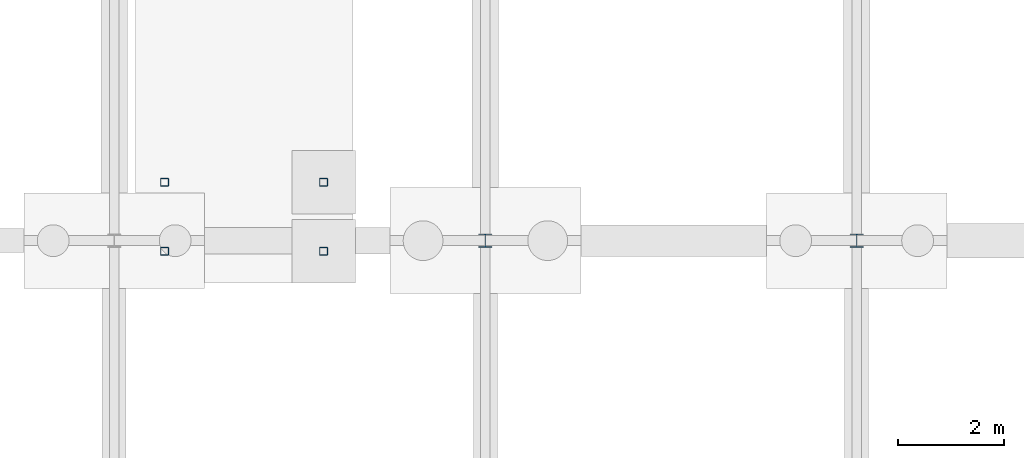
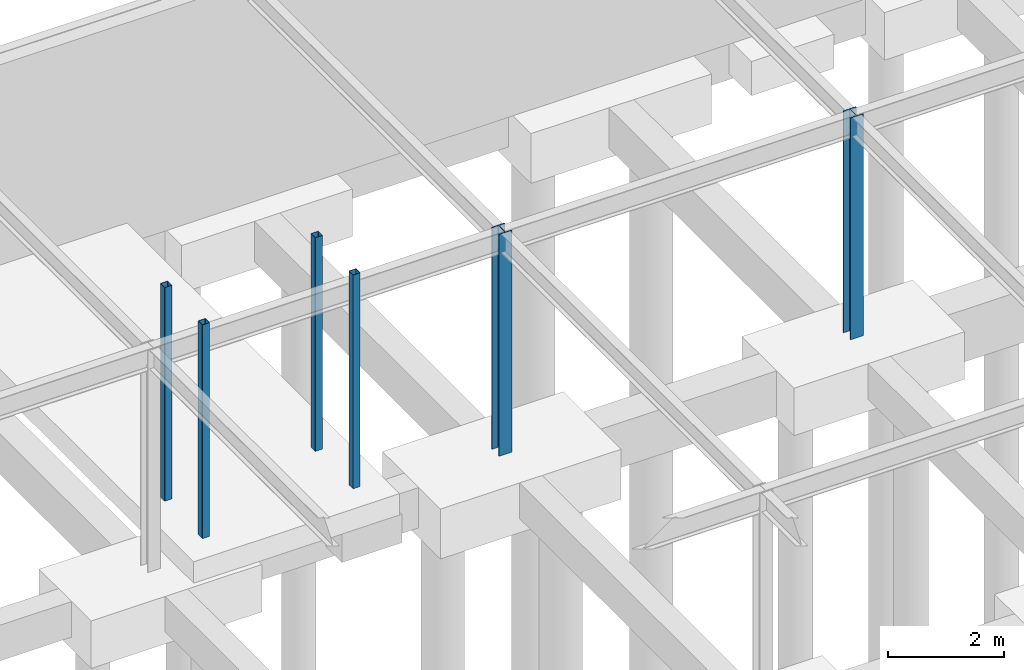
# One storey, part 15 of 75: 6 columns.
"""IFC4 building model written with IfcOpenShell, lengths in metres."""

from ifc_helpers import new_model, si_unit, derived_unit, direction, frame, origin, origin_2d_with_axis, place, context, subcontext, project, spatial, hollow_rectangle, i_section, extrude, material, material_profile, profile_set, type_object, element, save


model = new_model("IFC4")

# Units and contexts
model_context = context("Model", 3, precision=1e-05, world=origin(), true_north=direction((0.0, 1.0)))
body_context = subcontext(model_context, "Body", "Model", "MODEL_VIEW")
ifc_project = project(units=[si_unit("LENGTHUNIT", "METRE"), si_unit("AREAUNIT", "SQUARE_METRE"), si_unit("VOLUMEUNIT", "CUBIC_METRE"), si_unit("PLANEANGLEUNIT", "RADIAN"), si_unit("MASSUNIT", "GRAM", prefix="KILO"), derived_unit("THERMALTRANSMITTANCEUNIT", [(si_unit("POWERUNIT", "WATT"), 1), (si_unit("LENGTHUNIT", "METRE"), -2), (si_unit("THERMODYNAMICTEMPERATUREUNIT", "KELVIN"), -1)])], contexts=[model_context])

# Site, building, storey
site_placement = place(None, origin())
site = spatial("IfcSite", under=ifc_project, at=site_placement, CompositionType="ELEMENT")
building_placement = place(site_placement, origin())
building = spatial("IfcBuilding", under=site, at=building_placement, Name="Cinnabar Yard Market Hall", CompositionType="ELEMENT")
storey_placement = place(building_placement, frame((0.0, 0.0, -4.5)))
storey = spatial("IfcBuildingStorey", under=building, at=storey_placement, Name="B1", CompositionType="ELEMENT", Elevation=-4.5)

# Columns
ifc_material_1 = material(Name="Steel Grade 300 (300 MPa)", Category="steel")
ifc_material_profile_1 = material_profile(ifc_material_1, i_section(OverallWidth=0.256103515625, OverallDepth=0.260009765625, WebThickness=0.010498046875, FlangeThickness=0.017333984375, FilletRadius=0.013916015625, at=origin_2d_with_axis()), Name="250UC89.5")
ifc_profile_set_1 = profile_set([ifc_material_profile_1], Name="Steel Grade 300 (300 MPa)")
column_type_1 = type_object("IfcColumnType", Name="COL-C10", PredefinedType="COLUMN", material=ifc_profile_set_1)
for number, where, z_axis, x_axis, name in (
    (1, (31.0, 75.0, -0.449951171875), (0.0, 0.0, 1.0), (1.0, 0.0, 0.0), "Pavilion Pier V2-04-04 B1"),
    (2, (38.0, 75.0, -0.449951171875), (0.0, 0.0, 1.0), (1.0, 0.0, 0.0), "Pavilion Pier V2-05-04 B1"),
):
    element("IfcColumn", number, at=place(storey_placement, frame(where, z_axis=z_axis, x_axis=x_axis)), inside=storey, type_object=column_type_1, Name=name, PredefinedType="COLUMN", context=body_context, shape_type="SweptSolid", body=[
        extrude(i_section(OverallWidth=0.256103515625, OverallDepth=0.260009765625, WebThickness=0.010498046875, FlangeThickness=0.017333984375, FilletRadius=0.013916015625, at=origin_2d_with_axis()), origin(), (0.0, 0.0, 1.0), 4.669921875),
    ])
ifc_material_2 = material(Name="Cold-formed steel C350L0", Category="steel")
ifc_material_profile_2 = material_profile(ifc_material_2, hollow_rectangle(XDim=0.14990234375, YDim=0.14990234375, WallThickness=0.006103515625, InnerFilletRadius=0.006103515625, OuterFilletRadius=0.011962890625, at=origin_2d_with_axis()), Name="150x150x6.0SHS")
ifc_profile_set_2 = profile_set([ifc_material_profile_2], Name="Cold-formed steel C350L0")
column_type_2 = type_object("IfcColumnType", Name="COL-C16", PredefinedType="COLUMN", material=ifc_profile_set_2)
for number, where, z_axis, x_axis, name in (
    (3, (24.949951171875, 74.800048828125, 0.0), (0.0, 0.0, 1.0), (1.0, 0.0, 0.0), "Feature Stair Pier ST-F3-1"),
    (4, (27.949951171875, 74.800048828125, 0.0), (0.0, 0.0, 1.0), (1.0, 0.0, 0.0), "Feature Stair Pier ST-F3-2"),
    (5, (24.949951171875, 76.10009765625, 0.0), (0.0, 0.0, 1.0), (1.0, 0.0, 0.0), "Feature Stair Pier ST-F3-3"),
    (6, (27.949951171875, 76.10009765625, 0.0), (0.0, 0.0, 1.0), (1.0, 0.0, 0.0), "Feature Stair Pier ST-F3-4"),
):
    element("IfcColumn", number, at=place(storey_placement, frame(where, z_axis=z_axis, x_axis=x_axis)), inside=storey, type_object=column_type_2, Name=name, PredefinedType="COLUMN", context=body_context, shape_type="SweptSolid", body=[
        extrude(hollow_rectangle(XDim=0.14990234375, YDim=0.14990234375, WallThickness=0.006103515625, InnerFilletRadius=0.006103515625, OuterFilletRadius=0.011962890625, at=origin_2d_with_axis()), origin(), (0.0, 0.0, 1.0), 4.5),
    ])

save(model, "model.ifc")
